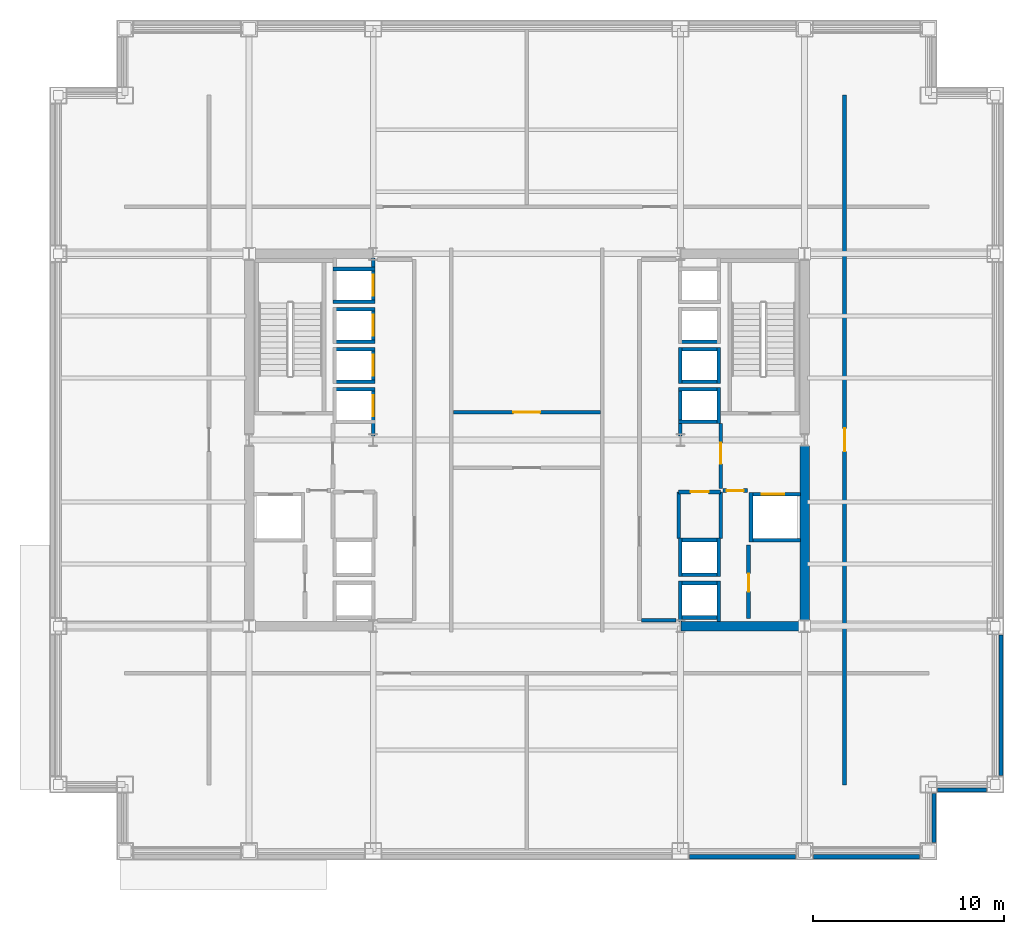
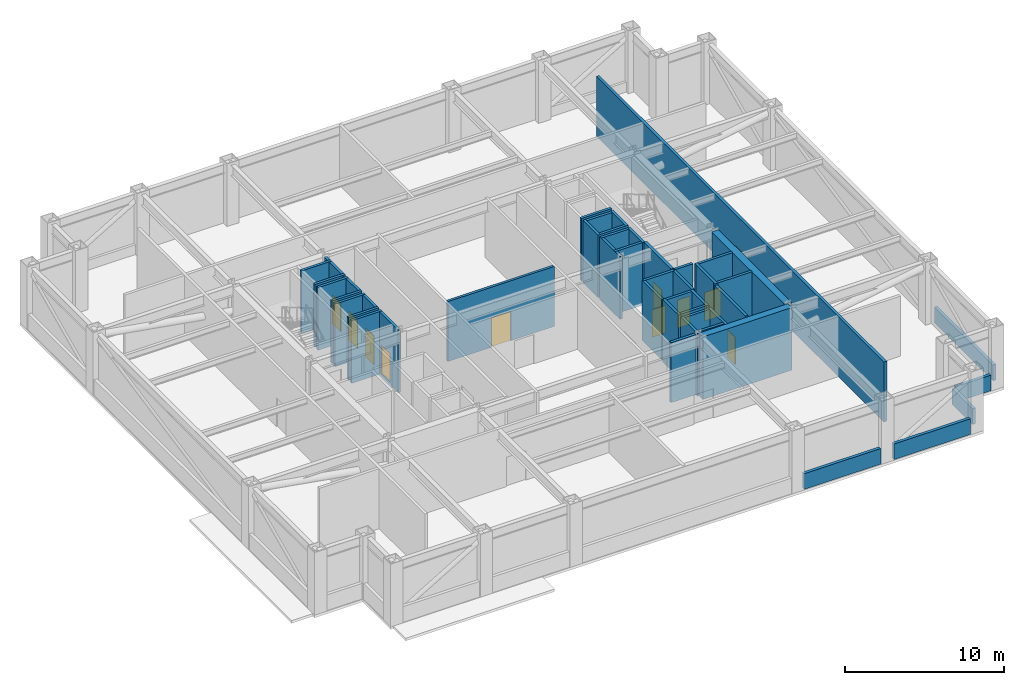
# One storey, part 4 of 8: 47 walls, 11 doors, 11 openings.
"""IFC4 building model written with IfcOpenShell, lengths in metres."""

from ifc_helpers import new_model, si_unit, direction, frame, frame_2d, origin, place, context, subcontext, project, spatial, rectangle, extrude, material, layer, layer_set, type_object, element, fill, save


model = new_model("IFC4")

# Units and contexts
model_context = context("Model", 3, precision=1e-05, world=origin(), true_north=direction((0.0, 1.0)))
body_context = subcontext(model_context, "Body", "Model", "MODEL_VIEW")
ifc_project = project(units=[si_unit("LENGTHUNIT", "METRE"), si_unit("AREAUNIT", "SQUARE_METRE"), si_unit("VOLUMEUNIT", "CUBIC_METRE"), si_unit("PLANEANGLEUNIT", "RADIAN"), si_unit("MASSUNIT", "GRAM", prefix="KILO")], contexts=[model_context])

# Site, building, storey
site_placement = place(None, origin())
site = spatial("IfcSite", under=ifc_project, at=site_placement, CompositionType="ELEMENT")
building_placement = place(site_placement, origin())
building = spatial("IfcBuilding", under=site, at=building_placement, Name="Brelmoor Portico Tower", CompositionType="ELEMENT")
storey_placement = place(building_placement, frame((0.0, 0.0, 78.0)))
storey = spatial("IfcBuildingStorey", under=building, at=storey_placement, Name="L20", CompositionType="ELEMENT", Elevation=78.0)

# Walls
ifc_material_1 = material(Name="Concrete C60", Category="concrete")
ifc_layer_1 = layer(ifc_material_1, 0.5)
ifc_layer_set_1 = layer_set([ifc_layer_1], Name="Concrete C60")
wall_type_1 = type_object("IfcWallType", Name="WL-CORE-500", PredefinedType="SHEAR", material=ifc_layer_set_1)
wall_1_placement = place(storey_placement, frame((8.070068359375, -9.75, -0.199951171875), z_axis=(0.0, 0.0, 1.0), x_axis=(1.0, 0.0, 0.0)))
element("IfcWall", 1, at=wall_1_placement, inside=storey, type_object=wall_type_1, Name="L20 EC South Shear Wall", PredefinedType="SHEAR", context=body_context, shape_type="SweptSolid", body=[
    extrude(rectangle(XDim=6.4599609375, YDim=0.5, at=frame_2d((3.22998046875, 0.0))), origin(), (0.0, 0.0, 1.0), 4.800048828125),
])
wall_2_placement = place(storey_placement, frame((14.550048828125, -9.425048828125, -0.199951171875), z_axis=(0.0, 0.0, 1.0), x_axis=(0.0, 1.0, 0.0)))
element("IfcWall", 2, at=wall_2_placement, inside=storey, type_object=wall_type_1, Name="L20 EC Outer South Shear Wall", PredefinedType="SHEAR", context=body_context, shape_type="SweptSolid", body=[
    extrude(rectangle(XDim=9.10009765625, YDim=0.5, at=frame_2d((4.550048828125, 0.0))), origin(), (0.0, 0.0, 1.0), 4.800048828125),
])
ifc_material_2 = material(Name="Concrete C40 Parapet Upstand", Category="concrete")
ifc_layer_2 = layer(ifc_material_2, 0.219970703125)
ifc_layer_set_2 = layer_set([ifc_layer_2], Name="Concrete C40 Parapet Upstand")
wall_type_2 = type_object("IfcWallType", Name="WL-PARAPET-220", PredefinedType="PARAPET", material=ifc_layer_set_2)
for number, where, z_axis, x_axis, name in (
    (3, (8.52001953125, -21.840087890625, 0.0), (0.0, 0.0, 1.0), (1.0, 0.0, 0.0), "L20 Plant Louvre Perimeter Upstand 04"),
    (4, (15.02001953125, -21.840087890625, 0.0), (0.0, 0.0, 1.0), (1.0, 0.0, 0.0), "L20 Plant Louvre Perimeter Upstand 05"),
):
    element("IfcWall", number, at=place(storey_placement, frame(where, z_axis=z_axis, x_axis=x_axis)), inside=storey, type_object=wall_type_2, Name=name, PredefinedType="PARAPET", context=body_context, shape_type="SweptSolid", body=[
        extrude(rectangle(XDim=5.56005859375, YDim=0.219970703125, at=frame_2d((2.780029296875, 0.0))), origin(), (0.0, 0.0, 1.0), 1.199951171875),
    ])
for number, where, z_axis, x_axis, name in (
    (5, (21.340087890625, -21.080078125, 0.0), (0.0, 0.0, 1.0), (0.0, 1.0, 0.0), "L20 Plant Louvre Perimeter Upstand 06"),
    (6, (21.52001953125, -18.340087890625, 0.0), (0.0, 0.0, 1.0), (1.0, 0.0, 0.0), "L20 Plant Louvre Perimeter Upstand 07"),
):
    element("IfcWall", number, at=place(storey_placement, frame(where, z_axis=z_axis, x_axis=x_axis)), inside=storey, type_object=wall_type_2, Name=name, PredefinedType="PARAPET", context=body_context, shape_type="SweptSolid", body=[
        extrude(rectangle(XDim=2.56005859375, YDim=0.219970703125, at=frame_2d((1.280029296875, 0.0))), origin(), (0.0, 0.0, 1.0), 1.199951171875),
    ])
wall_3_placement = place(storey_placement, frame((24.840087890625, -17.580078125, 0.0), z_axis=(0.0, 0.0, 1.0), x_axis=(0.0, 1.0, 0.0)))
element("IfcWall", 7, at=wall_3_placement, inside=storey, type_object=wall_type_2, Name="L20 Plant Louvre Perimeter Upstand 08", PredefinedType="PARAPET", context=body_context, shape_type="SweptSolid", body=[
    extrude(rectangle(XDim=7.360107421875, YDim=0.219970703125, at=frame_2d((3.68017578125, 0.0))), origin(), (0.0, 0.0, 1.0), 1.199951171875),
])

# Wall, opening, door
ifc_material_3 = material(Name="Acoustic Corridor Fire Partition", Category="gypsum")
ifc_layer_3 = layer(ifc_material_3, 0.179931640625)
ifc_layer_set_3 = layer_set([ifc_layer_3], Name="Acoustic Corridor Fire Partition")
wall_type_3 = type_object("IfcWallType", Name="WL-PART-180", PredefinedType="PARTITIONING", material=ifc_layer_set_3)
wall_4_placement = place(storey_placement, frame((-3.85009765625, 1.449951171875, 0.0), z_axis=(0.0, 0.0, 1.0), x_axis=(1.0, 0.0, 0.0)))
wall_4 = element("IfcWall", 8, at=wall_4_placement, inside=storey, type_object=wall_type_3, Name="L20 Central Heat-Exchanger Wall", PredefinedType="PARTITIONING", context=body_context, shape_type="SweptSolid", body=[
    extrude(rectangle(XDim=7.7001953125, YDim=0.179931640625, at=frame_2d((3.85009765625, 0.0))), origin(), (0.0, 0.0, 1.0), 4.60009765625),
])
opening_1_placement = place(wall_4_placement, frame((3.14990234375, 0.0, 0.0)))
opening_1 = element("IfcOpeningElement", 9, at=opening_1_placement, cuts=wall_4, Name="Opening D-PL1", PredefinedType="OPENING", context=body_context, shape_type="SweptSolid", body=[
    extrude(rectangle(XDim=1.39990234375, YDim=2.25, at=frame_2d((0.699951171875, 1.125))), frame((0.0, 0.099853515625, 0.0), z_axis=(0.0, -1.0, 0.0), x_axis=(1.0, 0.0, 0.0)), (0.0, 0.0, 1.0), 0.199951171875),
])
ifc_material_4 = material(Name="Double-Leaf Acoustic Steel Plant Door", Category="steel")
door_type_1 = type_object("IfcDoorType", Name="DR-PLANT-1400", OperationType="NOTDEFINED", PredefinedType="DOOR", material=ifc_material_4)
door_1_placement = place(opening_1_placement, origin())
door_1 = element("IfcDoor", 10, at=door_1_placement, inside=storey, type_object=door_type_1, Name="D-0911 L20 Heat-Exchanger Room Door", OperationType="DOUBLE_DOOR_SINGLE_SWING", OverallHeight=2.25, OverallWidth=1.39990234375, PredefinedType="DOOR", context=body_context, shape_type="SweptSolid", body=[
    extrude(rectangle(XDim=1.39990234375, YDim=2.25, at=frame_2d((0.699951171875, 1.125))), frame((0.0, 0.02490234375, 0.0), z_axis=(0.0, -1.0, 0.0), x_axis=(1.0, 0.0, 0.0)), (0.0, 0.0, 1.0), 0.050048828125),
])
fill(opening_1, door_1)

# Wall
ifc_material_5 = material(Name="Double-Stud Gypsum Fire Partition", Category="gypsum")
ifc_layer_4 = layer(ifc_material_5, 0.199951171875)
ifc_layer_set_4 = layer_set([ifc_layer_4], Name="Double-Stud Gypsum Fire Partition")
wall_type_4 = type_object("IfcWallType", Name="WL-PART-200", PredefinedType="PARTITIONING", material=ifc_layer_set_4)
wall_5_placement = place(storey_placement, frame((6.02001953125, -9.449951171875, 0.0), z_axis=(0.0, 0.0, 1.0), x_axis=(1.0, 0.0, 0.0)))
element("IfcWall", 11, at=wall_5_placement, inside=storey, type_object=wall_type_4, Name="L20 E Lift Lobby South End Wall", PredefinedType="PARTITIONING", context=body_context, shape_type="SweptSolid", body=[
    extrude(rectangle(XDim=1.800048828125, YDim=0.199951171875, at=frame_2d((0.89990234375, 0.0))), origin(), (0.0, 0.0, 1.0), 4.60009765625),
])

# Wall, opening, door
wall_6_placement = place(storey_placement, frame((10.159912109375, -2.550048828125, 0.0), z_axis=(0.0, 0.0, 1.0), x_axis=(0.0, 1.0, 0.0)))
wall_6 = element("IfcWall", 12, at=wall_6_placement, inside=storey, type_object=wall_type_4, Name="L20 E Firefighting Lobby Wall", PredefinedType="PARTITIONING", context=body_context, shape_type="SweptSolid", body=[
    extrude(rectangle(XDim=3.400146484375, YDim=0.199951171875, at=frame_2d((1.7001953125, 0.0))), origin(), (0.0, 0.0, 1.0), 4.60009765625),
])
opening_2_placement = place(wall_6_placement, frame((1.300048828125, 0.0, 0.0)))
opening_2 = element("IfcOpeningElement", 13, at=opening_2_placement, cuts=wall_6, Name="Opening D-FR1", PredefinedType="OPENING", context=body_context, shape_type="SweptSolid", body=[
    extrude(rectangle(XDim=1.10009765625, YDim=2.14990234375, at=frame_2d((0.550048828125, 1.074951171875))), frame((0.0, 0.10986328125, 0.0), z_axis=(0.0, -1.0, 0.0), x_axis=(1.0, 0.0, 0.0)), (0.0, 0.0, 1.0), 0.219970703125),
])
ifc_material_6 = material(Name="Painted Galvanised Steel Fire Door", Category="steel")
door_type_2 = type_object("IfcDoorType", Name="DR-FIRE-1100", OperationType="NOTDEFINED", PredefinedType="DOOR", material=ifc_material_6)
door_2_placement = place(opening_2_placement, origin())
door_2 = element("IfcDoor", 14, at=door_2_placement, inside=storey, type_object=door_type_2, Name="D-0907 L20 E Firefighting Lobby Door", OperationType="SINGLE_SWING_LEFT", OverallHeight=2.14990234375, OverallWidth=1.10009765625, PredefinedType="DOOR", context=body_context, shape_type="SweptSolid", body=[
    extrude(rectangle(XDim=1.10009765625, YDim=2.14990234375, at=frame_2d((0.550048828125, 1.074951171875))), frame((0.0, 0.02490234375, 0.0), z_axis=(0.0, -1.0, 0.0), x_axis=(1.0, 0.0, 0.0)), (0.0, 0.0, 1.0), 0.050048828125),
])
fill(opening_2, door_2)

wall_7_placement = place(storey_placement, frame((10.280029296875, -2.64990234375, 0.0), z_axis=(0.0, 0.0, 1.0), x_axis=(1.0, 0.0, 0.0)))
wall_7 = element("IfcWall", 15, at=wall_7_placement, inside=storey, type_object=wall_type_4, Name="L20 E Firefighting Lobby South Wall", PredefinedType="PARTITIONING", context=body_context, shape_type="SweptSolid", body=[
    extrude(rectangle(XDim=1.27001953125, YDim=0.199951171875, at=frame_2d((0.635009765625, 0.0))), origin(), (0.0, 0.0, 1.0), 4.60009765625),
])
opening_3_placement = place(wall_7_placement, frame((0.18505859375, 0.0, 0.0)))
opening_3 = element("IfcOpeningElement", 16, at=opening_3_placement, cuts=wall_7, Name="Opening D-IN1", PredefinedType="OPENING", context=body_context, shape_type="SweptSolid", body=[
    extrude(rectangle(XDim=0.89990234375, YDim=2.14990234375, at=frame_2d((0.449951171875, 1.074951171875))), frame((0.0, 0.10986328125, 0.0), z_axis=(0.0, -1.0, 0.0), x_axis=(1.0, 0.0, 0.0)), (0.0, 0.0, 1.0), 0.219970703125),
])
ifc_material_7 = material(Name="Lacquered Timber Suite Door", Category="wood")
door_type_3 = type_object("IfcDoorType", Name="DR-INT-900", OperationType="NOTDEFINED", PredefinedType="DOOR", material=ifc_material_7)
door_3_placement = place(opening_3_placement, origin())
door_3 = element("IfcDoor", 17, at=door_3_placement, inside=storey, type_object=door_type_3, Name="D-0903 L20 E Core Service Vestibule Door", OperationType="SINGLE_SWING_RIGHT", OverallHeight=2.14990234375, OverallWidth=0.89990234375, PredefinedType="DOOR", context=body_context, shape_type="SweptSolid", body=[
    extrude(rectangle(XDim=0.89990234375, YDim=2.14990234375, at=frame_2d((0.449951171875, 1.074951171875))), frame((0.0, 0.02490234375, 0.0), z_axis=(0.0, -1.0, 0.0), x_axis=(1.0, 0.0, 0.0)), (0.0, 0.0, 1.0), 0.050048828125),
])
fill(opening_3, door_3)

wall_8_placement = place(storey_placement, frame((7.9599609375, -2.719970703125, 0.0), z_axis=(0.0, 0.0, 1.0), x_axis=(1.0, 0.0, 0.0)))
wall_8 = element("IfcWall", 18, at=wall_8_placement, inside=storey, type_object=wall_type_4, Name="L20 E Electrical Switchgear Closet Wall", PredefinedType="PARTITIONING", context=body_context, shape_type="SweptSolid", body=[
    extrude(rectangle(XDim=2.199951171875, YDim=0.199951171875, at=frame_2d((1.10009765625, 0.0))), origin(), (0.0, 0.0, 1.0), 4.60009765625),
])
opening_4_placement = place(wall_8_placement, frame((0.6201171875, 0.0, 0.0)))
opening_4 = element("IfcOpeningElement", 19, at=opening_4_placement, cuts=wall_8, Name="Opening D-FR4", PredefinedType="OPENING", context=body_context, shape_type="SweptSolid", body=[
    extrude(rectangle(XDim=0.949951171875, YDim=2.10009765625, at=frame_2d((0.47509765625, 1.050048828125))), frame((0.0, 0.10986328125, 0.0), z_axis=(0.0, -1.0, 0.0), x_axis=(1.0, 0.0, 0.0)), (0.0, 0.0, 1.0), 0.219970703125),
])
ifc_material_8 = material(Name="Painted Galvanised Steel Riser Door", Category="steel")
door_type_4 = type_object("IfcDoorType", Name="DR-FIRE-950", OperationType="NOTDEFINED", PredefinedType="DOOR", material=ifc_material_8)
door_4_placement = place(opening_4_placement, origin())
door_4 = element("IfcDoor", 20, at=door_4_placement, inside=storey, type_object=door_type_4, Name="D-0905 L20 E Electrical Switchgear Closet Door", OperationType="SINGLE_SWING_LEFT", OverallHeight=2.10009765625, OverallWidth=0.949951171875, PredefinedType="DOOR", context=body_context, shape_type="SweptSolid", body=[
    extrude(rectangle(XDim=0.949951171875, YDim=2.10009765625, at=frame_2d((0.47509765625, 1.050048828125))), frame((0.0, 0.02490234375, 0.0), z_axis=(0.0, -1.0, 0.0), x_axis=(1.0, 0.0, 0.0)), (0.0, 0.0, 1.0), 0.050048828125),
])
fill(opening_4, door_4)

# Walls
for number, where, z_axis, x_axis, name in (
    (21, (7.9599609375, -5.159912109375, 0.0), (0.0, 0.0, 1.0), (0.0, 1.0, 0.0), "L20 E Electrical Switchgear Closet Inner Wall"),
    (22, (10.159912109375, -5.159912109375, 0.0), (0.0, 0.0, 1.0), (0.0, 1.0, 0.0), "L20 E Electrical Switchgear Closet Outer Wall"),
):
    element("IfcWall", number, at=place(storey_placement, frame(where, z_axis=z_axis, x_axis=x_axis)), inside=storey, type_object=wall_type_4, Name=name, PredefinedType="PARTITIONING", context=body_context, shape_type="SweptSolid", body=[
        extrude(rectangle(XDim=2.43994140625, YDim=0.199951171875, at=frame_2d((1.219970703125, 0.0))), origin(), (0.0, 0.0, 1.0), 4.60009765625),
    ])

# Wall, opening, door
wall_9_placement = place(storey_placement, frame((11.6201171875, -9.35009765625, 0.0), z_axis=(0.0, 0.0, 1.0), x_axis=(0.0, 1.0, 0.0)))
wall_9 = element("IfcWall", 23, at=wall_9_placement, inside=storey, type_object=wall_type_4, Name="L20 E Mechanical Equipment Closet Wall", PredefinedType="PARTITIONING", context=body_context, shape_type="SweptSolid", body=[
    extrude(rectangle(XDim=3.85009765625, YDim=0.199951171875, at=frame_2d((1.925048828125, 0.0))), origin(), (0.0, 0.0, 1.0), 4.60009765625),
])
opening_5_placement = place(wall_9_placement, frame((1.39990234375, 0.0, 0.0)))
opening_5 = element("IfcOpeningElement", 24, at=opening_5_placement, cuts=wall_9, Name="Opening D-FR4", PredefinedType="OPENING", context=body_context, shape_type="SweptSolid", body=[
    extrude(rectangle(XDim=0.949951171875, YDim=2.10009765625, at=frame_2d((0.47509765625, 1.050048828125))), frame((0.0, 0.10986328125, 0.0), z_axis=(0.0, -1.0, 0.0), x_axis=(1.0, 0.0, 0.0)), (0.0, 0.0, 1.0), 0.219970703125),
])
door_5_placement = place(opening_5_placement, origin())
door_5 = element("IfcDoor", 25, at=door_5_placement, inside=storey, type_object=door_type_4, Name="D-0901 L20 E Mechanical Equipment Closet Door", OperationType="SINGLE_SWING_RIGHT", OverallHeight=2.10009765625, OverallWidth=0.949951171875, PredefinedType="DOOR", context=body_context, shape_type="SweptSolid", body=[
    extrude(rectangle(XDim=0.949951171875, YDim=2.10009765625, at=frame_2d((0.47509765625, 1.050048828125))), frame((0.0, 0.02490234375, 0.0), z_axis=(0.0, -1.0, 0.0), x_axis=(1.0, 0.0, 0.0)), (0.0, 0.0, 1.0), 0.050048828125),
])
fill(opening_5, door_5)

wall_10_placement = place(storey_placement, frame((16.64990234375, -18.070068359375, 0.0), z_axis=(0.0, 0.0, 1.0), x_axis=(0.0, 1.0, 0.0)))
wall_10 = element("IfcWall", 26, at=wall_10_placement, inside=storey, type_object=wall_type_4, Name="L20 Pressurised Refuge Area East Fire Wall", PredefinedType="PARTITIONING", context=body_context, shape_type="SweptSolid", body=[
    extrude(rectangle(XDim=36.14013671875, YDim=0.199951171875, at=frame_2d((18.070068359375, 0.0))), origin(), (0.0, 0.0, 1.0), 4.60009765625),
])
opening_6_placement = place(wall_10_placement, frame((17.469970703125, 0.0, 0.0)))
opening_6 = element("IfcOpeningElement", 27, at=opening_6_placement, cuts=wall_10, Name="Opening D-FR3", PredefinedType="OPENING", context=body_context, shape_type="SweptSolid", body=[
    extrude(rectangle(XDim=1.199951171875, YDim=2.219970703125, at=frame_2d((0.60009765625, 1.10986328125))), frame((0.0, 0.10986328125, 0.0), z_axis=(0.0, -1.0, 0.0), x_axis=(1.0, 0.0, 0.0)), (0.0, 0.0, 1.0), 0.219970703125),
])
door_type_5 = type_object("IfcDoorType", Name="DR-FIRE-1200", OperationType="NOTDEFINED", PredefinedType="DOOR", material=ifc_material_6)
door_6_placement = place(opening_6_placement, origin())
door_6 = element("IfcDoor", 28, at=door_6_placement, inside=storey, type_object=door_type_5, Name="D-0917 L20 Pressurised Refuge Area East Door", OperationType="SINGLE_SWING_RIGHT", OverallHeight=2.219970703125, OverallWidth=1.199951171875, PredefinedType="DOOR", context=body_context, shape_type="SweptSolid", body=[
    extrude(rectangle(XDim=1.199951171875, YDim=2.219970703125, at=frame_2d((0.60009765625, 1.10986328125))), frame((0.0, 0.02490234375, 0.0), z_axis=(0.0, -1.0, 0.0), x_axis=(1.0, 0.0, 0.0)), (0.0, 0.0, 1.0), 0.050048828125),
])
fill(opening_6, door_6)

ifc_material_9 = material(Name="Precast Concrete C40", Category="concrete")
ifc_layer_5 = layer(ifc_material_9, 0.18994140625)
ifc_layer_set_5 = layer_set([ifc_layer_5], Name="Precast Concrete C40")
wall_type_5 = type_object("IfcWallType", Name="WL-SHAFT-180", PredefinedType="SOLIDWALL", material=ifc_layer_set_5)
wall_11_placement = place(storey_placement, frame((-8.044921875, 0.2099609375, -0.199951171875), z_axis=(0.0, 0.0, 1.0), x_axis=(0.0, 1.0, 0.0)))
wall_11 = element("IfcWall", 29, at=wall_11_placement, inside=storey, type_object=wall_type_5, Name="L20 Lift PL1 Hoistway Front Wall", PredefinedType="SOLIDWALL", context=body_context, shape_type="SweptSolid", body=[
    extrude(rectangle(XDim=2.5400390625, YDim=0.18994140625, at=frame_2d((1.27001953125, 0.0))), origin(), (0.0, 0.0, 1.0), 4.800048828125),
])
opening_7_placement = place(wall_11_placement, frame((1.0400390625, 0.0, 0.199951171875)))
opening_7 = element("IfcOpeningElement", 30, at=opening_7_placement, cuts=wall_11, Name="Opening LD-01", PredefinedType="OPENING", context=body_context, shape_type="SweptSolid", body=[
    extrude(rectangle(XDim=1.10009765625, YDim=2.199951171875, at=frame_2d((0.550048828125, 1.10009765625))), frame((0.0, 0.10498046875, 0.0), z_axis=(0.0, -1.0, 0.0), x_axis=(1.0, 0.0, 0.0)), (0.0, 0.0, 1.0), 0.2099609375),
])
ifc_material_10 = material(Name="Brushed Stainless Steel Sliding Lift Door", Category="steel")
door_type_6 = type_object("IfcDoorType", Name="DR-LIFT-1100", OperationType="NOTDEFINED", PredefinedType="DOOR", material=ifc_material_10)
door_7_placement = place(opening_7_placement, origin())
door_7 = element("IfcDoor", 31, at=door_7_placement, inside=storey, type_object=door_type_6, Name="D-0923 L20 Lift PL1 Sliding Landing Door", OperationType="SLIDING_TO_LEFT", OverallHeight=2.199951171875, OverallWidth=1.10009765625, PredefinedType="DOOR", context=body_context, shape_type="SweptSolid", body=[
    extrude(rectangle(XDim=1.10009765625, YDim=2.199951171875, at=frame_2d((0.550048828125, 1.10009765625))), frame((0.0, 0.02490234375, 0.0), z_axis=(0.0, -1.0, 0.0), x_axis=(1.0, 0.0, 0.0)), (0.0, 0.0, 1.0), 0.050048828125),
])
fill(opening_7, door_7)

# Wall
wall_12_placement = place(storey_placement, frame((-10.14990234375, 2.655029296875, -0.199951171875), z_axis=(0.0, 0.0, 1.0), x_axis=(1.0, 0.0, 0.0)))
element("IfcWall", 32, at=wall_12_placement, inside=storey, type_object=wall_type_5, Name="L20 Lift PL1 Hoistway North Wall", PredefinedType="SOLIDWALL", context=body_context, shape_type="SweptSolid", body=[
    extrude(rectangle(XDim=2.199951171875, YDim=0.18994140625, at=frame_2d((1.10009765625, 0.0))), origin(), (0.0, 0.0, 1.0), 4.800048828125),
])

# Wall, opening, door
wall_13_placement = place(storey_placement, frame((-8.044921875, 2.949951171875, -0.199951171875), z_axis=(0.0, 0.0, 1.0), x_axis=(0.0, 1.0, 0.0)))
wall_13 = element("IfcWall", 33, at=wall_13_placement, inside=storey, type_object=wall_type_5, Name="L20 Lift PL2 Hoistway Front Wall", PredefinedType="SOLIDWALL", context=body_context, shape_type="SweptSolid", body=[
    extrude(rectangle(XDim=1.900146484375, YDim=0.18994140625, at=frame_2d((0.9501953125, 0.0))), origin(), (0.0, 0.0, 1.0), 4.800048828125),
])
opening_8_placement = place(wall_13_placement, frame((0.39990234375, 0.0, 0.199951171875)))
opening_8 = element("IfcOpeningElement", 34, at=opening_8_placement, cuts=wall_13, Name="Opening LD-01", PredefinedType="OPENING", context=body_context, shape_type="SweptSolid", body=[
    extrude(rectangle(XDim=1.10009765625, YDim=2.199951171875, at=frame_2d((0.550048828125, 1.10009765625))), frame((0.0, 0.10498046875, 0.0), z_axis=(0.0, -1.0, 0.0), x_axis=(1.0, 0.0, 0.0)), (0.0, 0.0, 1.0), 0.2099609375),
])
door_8_placement = place(opening_8_placement, origin())
door_8 = element("IfcDoor", 35, at=door_8_placement, inside=storey, type_object=door_type_6, Name="D-0924 L20 Lift PL2 Sliding Landing Door", OperationType="SLIDING_TO_LEFT", OverallHeight=2.199951171875, OverallWidth=1.10009765625, PredefinedType="DOOR", context=body_context, shape_type="SweptSolid", body=[
    extrude(rectangle(XDim=1.10009765625, YDim=2.199951171875, at=frame_2d((0.550048828125, 1.10009765625))), frame((0.0, 0.02490234375, 0.0), z_axis=(0.0, -1.0, 0.0), x_axis=(1.0, 0.0, 0.0)), (0.0, 0.0, 1.0), 0.050048828125),
])
fill(opening_8, door_8)

# Walls
for number, where, z_axis, x_axis, name in (
    (36, (-10.14990234375, 4.7548828125, -0.199951171875), (0.0, 0.0, 1.0), (1.0, 0.0, 0.0), "L20 Lift PL2 Hoistway North Wall"),
    (37, (-10.14990234375, 3.044921875, -0.199951171875), (0.0, 0.0, 1.0), (1.0, 0.0, 0.0), "L20 Lift PL2 Hoistway South Wall"),
):
    element("IfcWall", number, at=place(storey_placement, frame(where, z_axis=z_axis, x_axis=x_axis)), inside=storey, type_object=wall_type_5, Name=name, PredefinedType="SOLIDWALL", context=body_context, shape_type="SweptSolid", body=[
        extrude(rectangle(XDim=2.199951171875, YDim=0.18994140625, at=frame_2d((1.10009765625, 0.0))), origin(), (0.0, 0.0, 1.0), 4.800048828125),
    ])

# Wall, opening, door
wall_14_placement = place(storey_placement, frame((-8.044921875, 5.050048828125, -0.199951171875), z_axis=(0.0, 0.0, 1.0), x_axis=(0.0, 1.0, 0.0)))
wall_14 = element("IfcWall", 38, at=wall_14_placement, inside=storey, type_object=wall_type_5, Name="L20 Lift PL3 Hoistway Front Wall", PredefinedType="SOLIDWALL", context=body_context, shape_type="SweptSolid", body=[
    extrude(rectangle(XDim=1.89990234375, YDim=0.18994140625, at=frame_2d((0.949951171875, 0.0))), origin(), (0.0, 0.0, 1.0), 4.800048828125),
])
opening_9_placement = place(wall_14_placement, frame((0.39990234375, 0.0, 0.199951171875)))
opening_9 = element("IfcOpeningElement", 39, at=opening_9_placement, cuts=wall_14, Name="Opening LD-01", PredefinedType="OPENING", context=body_context, shape_type="SweptSolid", body=[
    extrude(rectangle(XDim=1.10009765625, YDim=2.199951171875, at=frame_2d((0.550048828125, 1.10009765625))), frame((0.0, 0.10498046875, 0.0), z_axis=(0.0, -1.0, 0.0), x_axis=(1.0, 0.0, 0.0)), (0.0, 0.0, 1.0), 0.2099609375),
])
door_9_placement = place(opening_9_placement, origin())
door_9 = element("IfcDoor", 40, at=door_9_placement, inside=storey, type_object=door_type_6, Name="D-0925 L20 Lift PL3 Sliding Landing Door", OperationType="SLIDING_TO_LEFT", OverallHeight=2.199951171875, OverallWidth=1.10009765625, PredefinedType="DOOR", context=body_context, shape_type="SweptSolid", body=[
    extrude(rectangle(XDim=1.10009765625, YDim=2.199951171875, at=frame_2d((0.550048828125, 1.10009765625))), frame((0.0, 0.02490234375, 0.0), z_axis=(0.0, -1.0, 0.0), x_axis=(1.0, 0.0, 0.0)), (0.0, 0.0, 1.0), 0.050048828125),
])
fill(opening_9, door_9)

# Walls
for number, where, z_axis, x_axis, name in (
    (41, (-10.14990234375, 6.85498046875, -0.199951171875), (0.0, 0.0, 1.0), (1.0, 0.0, 0.0), "L20 Lift PL3 Hoistway North Wall"),
    (42, (-10.14990234375, 5.14501953125, -0.199951171875), (0.0, 0.0, 1.0), (1.0, 0.0, 0.0), "L20 Lift PL3 Hoistway South Wall"),
):
    element("IfcWall", number, at=place(storey_placement, frame(where, z_axis=z_axis, x_axis=x_axis)), inside=storey, type_object=wall_type_5, Name=name, PredefinedType="SOLIDWALL", context=body_context, shape_type="SweptSolid", body=[
        extrude(rectangle(XDim=2.199951171875, YDim=0.18994140625, at=frame_2d((1.10009765625, 0.0))), origin(), (0.0, 0.0, 1.0), 4.800048828125),
    ])

# Wall, opening, door
wall_15_placement = place(storey_placement, frame((-8.044921875, 7.14990234375, -0.199951171875), z_axis=(0.0, 0.0, 1.0), x_axis=(0.0, 1.0, 0.0)))
wall_15 = element("IfcWall", 43, at=wall_15_placement, inside=storey, type_object=wall_type_5, Name="L20 Lift PL4 Hoistway Front Wall", PredefinedType="SOLIDWALL", context=body_context, shape_type="SweptSolid", body=[
    extrude(rectangle(XDim=2.3701171875, YDim=0.18994140625, at=frame_2d((1.18505859375, 0.0))), origin(), (0.0, 0.0, 1.0), 4.800048828125),
])
opening_10_placement = place(wall_15_placement, frame((0.39990234375, 0.0, 0.199951171875)))
opening_10 = element("IfcOpeningElement", 44, at=opening_10_placement, cuts=wall_15, Name="Opening LD-01", PredefinedType="OPENING", context=body_context, shape_type="SweptSolid", body=[
    extrude(rectangle(XDim=1.10009765625, YDim=2.199951171875, at=frame_2d((0.550048828125, 1.10009765625))), frame((0.0, 0.10498046875, 0.0), z_axis=(0.0, -1.0, 0.0), x_axis=(1.0, 0.0, 0.0)), (0.0, 0.0, 1.0), 0.2099609375),
])
door_10_placement = place(opening_10_placement, origin())
door_10 = element("IfcDoor", 45, at=door_10_placement, inside=storey, type_object=door_type_6, Name="D-0926 L20 Lift PL4 Sliding Landing Door", OperationType="SLIDING_TO_LEFT", OverallHeight=2.199951171875, OverallWidth=1.10009765625, PredefinedType="DOOR", context=body_context, shape_type="SweptSolid", body=[
    extrude(rectangle(XDim=1.10009765625, YDim=2.199951171875, at=frame_2d((0.550048828125, 1.10009765625))), frame((0.0, 0.02490234375, 0.0), z_axis=(0.0, -1.0, 0.0), x_axis=(1.0, 0.0, 0.0)), (0.0, 0.0, 1.0), 0.050048828125),
])
fill(opening_10, door_10)

# Walls
for number, where, z_axis, x_axis, name in (
    (46, (-10.14990234375, 8.955078125, -0.199951171875), (0.0, 0.0, 1.0), (1.0, 0.0, 0.0), "L20 Lift PL4 Hoistway North Wall"),
    (47, (-10.14990234375, 7.2451171875, -0.199951171875), (0.0, 0.0, 1.0), (1.0, 0.0, 0.0), "L20 Lift PL4 Hoistway South Wall"),
):
    element("IfcWall", number, at=place(storey_placement, frame(where, z_axis=z_axis, x_axis=x_axis)), inside=storey, type_object=wall_type_5, Name=name, PredefinedType="SOLIDWALL", context=body_context, shape_type="SweptSolid", body=[
        extrude(rectangle(XDim=2.199951171875, YDim=0.18994140625, at=frame_2d((1.10009765625, 0.0))), origin(), (0.0, 0.0, 1.0), 4.800048828125),
    ])
wall_16_placement = place(storey_placement, frame((8.044921875, 0.2099609375, -0.199951171875), z_axis=(0.0, 0.0, 1.0), x_axis=(0.0, 1.0, 0.0)))
element("IfcWall", 48, at=wall_16_placement, inside=storey, type_object=wall_type_5, Name="L20 Lift PM1 Hoistway Front Wall", PredefinedType="SOLIDWALL", context=body_context, shape_type="SweptSolid", body=[
    extrude(rectangle(XDim=2.5400390625, YDim=0.18994140625, at=frame_2d((1.27001953125, 0.0))), origin(), (0.0, 0.0, 1.0), 4.800048828125),
])
wall_17_placement = place(storey_placement, frame((10.054931640625, 0.85009765625, -0.199951171875), z_axis=(0.0, 0.0, 1.0), x_axis=(0.0, 1.0, 0.0)))
element("IfcWall", 49, at=wall_17_placement, inside=storey, type_object=wall_type_5, Name="L20 Lift PM1 Hoistway Back Wall", PredefinedType="SOLIDWALL", context=body_context, shape_type="SweptSolid", body=[
    extrude(rectangle(XDim=1.89990234375, YDim=0.18994140625, at=frame_2d((0.949951171875, 0.0))), origin(), (0.0, 0.0, 1.0), 4.800048828125),
])
for number, where, z_axis, x_axis, name in (
    (50, (7.949951171875, 2.655029296875, -0.199951171875), (0.0, 0.0, 1.0), (1.0, 0.0, 0.0), "L20 Lift PM1 Hoistway North Wall"),
    (51, (7.949951171875, 0.945068359375, -0.199951171875), (0.0, 0.0, 1.0), (1.0, 0.0, 0.0), "L20 Lift PM1 Hoistway South Wall"),
):
    element("IfcWall", number, at=place(storey_placement, frame(where, z_axis=z_axis, x_axis=x_axis)), inside=storey, type_object=wall_type_5, Name=name, PredefinedType="SOLIDWALL", context=body_context, shape_type="SweptSolid", body=[
        extrude(rectangle(XDim=2.199951171875, YDim=0.18994140625, at=frame_2d((1.10009765625, 0.0))), origin(), (0.0, 0.0, 1.0), 4.800048828125),
    ])
for number, where, z_axis, x_axis, name in (
    (52, (8.044921875, 2.949951171875, -0.199951171875), (0.0, 0.0, 1.0), (0.0, 1.0, 0.0), "L20 Lift PM2 Hoistway Front Wall"),
    (53, (10.054931640625, 2.949951171875, -0.199951171875), (0.0, 0.0, 1.0), (0.0, 1.0, 0.0), "L20 Lift PM2 Hoistway Back Wall"),
):
    element("IfcWall", number, at=place(storey_placement, frame(where, z_axis=z_axis, x_axis=x_axis)), inside=storey, type_object=wall_type_5, Name=name, PredefinedType="SOLIDWALL", context=body_context, shape_type="SweptSolid", body=[
        extrude(rectangle(XDim=1.900146484375, YDim=0.18994140625, at=frame_2d((0.9501953125, 0.0))), origin(), (0.0, 0.0, 1.0), 4.800048828125),
    ])
for number, where, z_axis, x_axis, name in (
    (54, (7.949951171875, 4.7548828125, -0.199951171875), (0.0, 0.0, 1.0), (1.0, 0.0, 0.0), "L20 Lift PM2 Hoistway North Wall"),
    (55, (7.949951171875, 3.044921875, -0.199951171875), (0.0, 0.0, 1.0), (1.0, 0.0, 0.0), "L20 Lift PM2 Hoistway South Wall"),
    (56, (7.949951171875, 5.14501953125, -0.199951171875), (0.0, 0.0, 1.0), (1.0, 0.0, 0.0), "L20 Lift PM3 Hoistway South Wall"),
):
    element("IfcWall", number, at=place(storey_placement, frame(where, z_axis=z_axis, x_axis=x_axis)), inside=storey, type_object=wall_type_5, Name=name, PredefinedType="SOLIDWALL", context=body_context, shape_type="SweptSolid", body=[
        extrude(rectangle(XDim=2.199951171875, YDim=0.18994140625, at=frame_2d((1.10009765625, 0.0))), origin(), (0.0, 0.0, 1.0), 4.800048828125),
    ])
for number, where, z_axis, x_axis, name in (
    (57, (8.044921875, -9.52001953125, -0.199951171875), (0.0, 0.0, 1.0), (0.0, 1.0, 0.0), "L20 Lift PH3 Hoistway Front Wall"),
    (58, (10.054931640625, -9.52001953125, -0.199951171875), (0.0, 0.0, 1.0), (0.0, 1.0, 0.0), "L20 Lift PH3 Hoistway Back Wall"),
):
    element("IfcWall", number, at=place(storey_placement, frame(where, z_axis=z_axis, x_axis=x_axis)), inside=storey, type_object=wall_type_5, Name=name, PredefinedType="SOLIDWALL", context=body_context, shape_type="SweptSolid", body=[
        extrude(rectangle(XDim=2.1201171875, YDim=0.18994140625, at=frame_2d((1.06005859375, 0.0))), origin(), (0.0, 0.0, 1.0), 4.800048828125),
    ])
for number, where, z_axis, x_axis, name in (
    (59, (7.949951171875, -7.4951171875, -0.199951171875), (0.0, 0.0, 1.0), (1.0, 0.0, 0.0), "L20 Lift PH3 Hoistway North Wall"),
    (60, (7.949951171875, -9.304931640625, -0.199951171875), (0.0, 0.0, 1.0), (1.0, 0.0, 0.0), "L20 Lift PH3 Hoistway South Wall"),
):
    element("IfcWall", number, at=place(storey_placement, frame(where, z_axis=z_axis, x_axis=x_axis)), inside=storey, type_object=wall_type_5, Name=name, PredefinedType="SOLIDWALL", context=body_context, shape_type="SweptSolid", body=[
        extrude(rectangle(XDim=2.199951171875, YDim=0.18994140625, at=frame_2d((1.10009765625, 0.0))), origin(), (0.0, 0.0, 1.0), 4.800048828125),
    ])
for number, where, z_axis, x_axis, name in (
    (61, (8.044921875, -7.14990234375, -0.199951171875), (0.0, 0.0, 1.0), (0.0, 1.0, 0.0), "L20 Lift PH4 Hoistway Front Wall"),
    (62, (10.054931640625, -7.14990234375, -0.199951171875), (0.0, 0.0, 1.0), (0.0, 1.0, 0.0), "L20 Lift PH4 Hoistway Back Wall"),
):
    element("IfcWall", number, at=place(storey_placement, frame(where, z_axis=z_axis, x_axis=x_axis)), inside=storey, type_object=wall_type_5, Name=name, PredefinedType="SOLIDWALL", context=body_context, shape_type="SweptSolid", body=[
        extrude(rectangle(XDim=2.0, YDim=0.18994140625, at=frame_2d((1.0, 0.0))), origin(), (0.0, 0.0, 1.0), 4.800048828125),
    ])
for number, where, z_axis, x_axis, name in (
    (63, (7.949951171875, -5.2451171875, -0.199951171875), (0.0, 0.0, 1.0), (1.0, 0.0, 0.0), "L20 Lift PH4 Hoistway North Wall"),
    (64, (7.949951171875, -7.054931640625, -0.199951171875), (0.0, 0.0, 1.0), (1.0, 0.0, 0.0), "L20 Lift PH4 Hoistway South Wall"),
):
    element("IfcWall", number, at=place(storey_placement, frame(where, z_axis=z_axis, x_axis=x_axis)), inside=storey, type_object=wall_type_5, Name=name, PredefinedType="SOLIDWALL", context=body_context, shape_type="SweptSolid", body=[
        extrude(rectangle(XDim=2.199951171875, YDim=0.18994140625, at=frame_2d((1.10009765625, 0.0))), origin(), (0.0, 0.0, 1.0), 4.800048828125),
    ])

# Wall, opening, door
wall_18_placement = place(storey_placement, frame((11.64990234375, -2.844970703125, -0.199951171875), z_axis=(0.0, 0.0, 1.0), x_axis=(1.0, 0.0, 0.0)))
wall_18 = element("IfcWall", 65, at=wall_18_placement, inside=storey, type_object=wall_type_5, Name="L20 Lift FF2 Hoistway Front Wall", PredefinedType="SOLIDWALL", context=body_context, shape_type="SweptSolid", body=[
    extrude(rectangle(XDim=2.68017578125, YDim=0.18994140625, at=frame_2d((1.340087890625, 0.0))), origin(), (0.0, 0.0, 1.0), 4.800048828125),
])
opening_11_placement = place(wall_18_placement, frame((0.64990234375, 0.0, 0.199951171875)))
opening_11 = element("IfcOpeningElement", 66, at=opening_11_placement, cuts=wall_18, Name="Opening LD-02", PredefinedType="OPENING", context=body_context, shape_type="SweptSolid", body=[
    extrude(rectangle(XDim=1.199951171875, YDim=2.199951171875, at=frame_2d((0.60009765625, 1.10009765625))), frame((0.0, 0.10498046875, 0.0), z_axis=(0.0, -1.0, 0.0), x_axis=(1.0, 0.0, 0.0)), (0.0, 0.0, 1.0), 0.2099609375),
])
ifc_material_11 = material(Name="Brushed Stainless Steel Firefighting Lift Door", Category="steel")
door_type_7 = type_object("IfcDoorType", Name="DR-LIFT-1200", OperationType="NOTDEFINED", PredefinedType="DOOR", material=ifc_material_11)
door_11_placement = place(opening_11_placement, origin())
door_11 = element("IfcDoor", 67, at=door_11_placement, inside=storey, type_object=door_type_7, Name="D-0922 L20 Lift FF2 Sliding Landing Door", OperationType="SLIDING_TO_LEFT", OverallHeight=2.199951171875, OverallWidth=1.199951171875, PredefinedType="DOOR", context=body_context, shape_type="SweptSolid", body=[
    extrude(rectangle(XDim=1.199951171875, YDim=2.199951171875, at=frame_2d((0.60009765625, 1.10009765625))), frame((0.0, 0.02490234375, 0.0), z_axis=(0.0, -1.0, 0.0), x_axis=(1.0, 0.0, 0.0)), (0.0, 0.0, 1.0), 0.050048828125),
])
fill(opening_11, door_11)

# Walls
wall_19_placement = place(storey_placement, frame((11.64990234375, -5.2548828125, -0.199951171875), z_axis=(0.0, 0.0, 1.0), x_axis=(1.0, 0.0, 0.0)))
element("IfcWall", 68, at=wall_19_placement, inside=storey, type_object=wall_type_5, Name="L20 Firefighting Lift FF2 South Wall", PredefinedType="SOLIDWALL", context=body_context, shape_type="SweptSolid", body=[
    extrude(rectangle(XDim=2.68017578125, YDim=0.18994140625, at=frame_2d((1.340087890625, 0.0))), origin(), (0.0, 0.0, 1.0), 4.800048828125),
])
wall_20_placement = place(storey_placement, frame((11.7451171875, -5.35009765625, -0.199951171875), z_axis=(0.0, 0.0, 1.0), x_axis=(0.0, 1.0, 0.0)))
element("IfcWall", 69, at=wall_20_placement, inside=storey, type_object=wall_type_5, Name="L20 Firefighting Lift FF2 Inner Wall", PredefinedType="SOLIDWALL", context=body_context, shape_type="SweptSolid", body=[
    extrude(rectangle(XDim=2.60009765625, YDim=0.18994140625, at=frame_2d((1.300048828125, 0.0))), origin(), (0.0, 0.0, 1.0), 4.800048828125),
])

save(model, "model.ifc")
